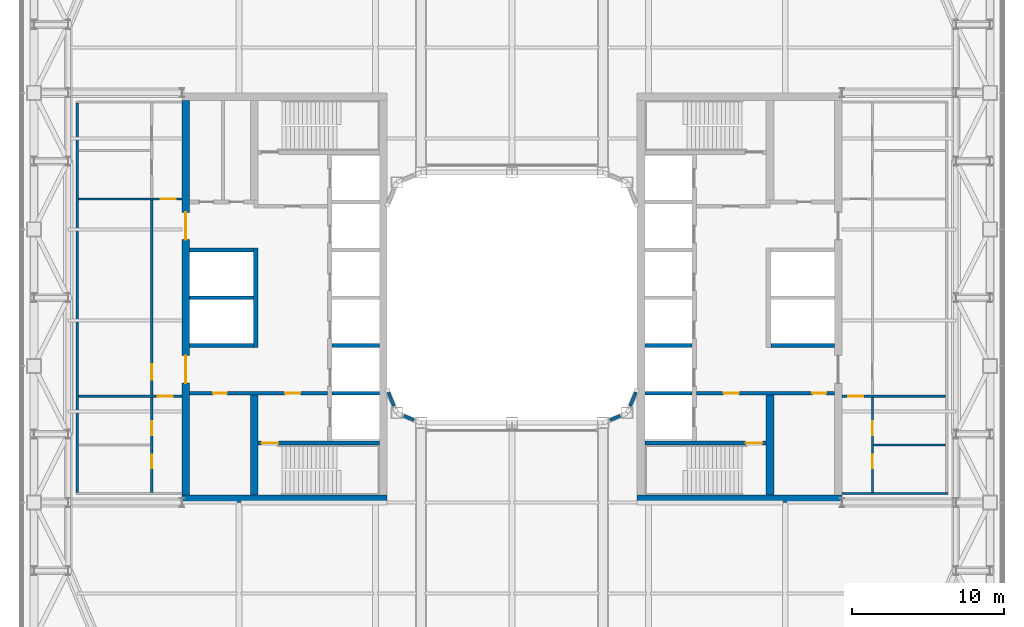
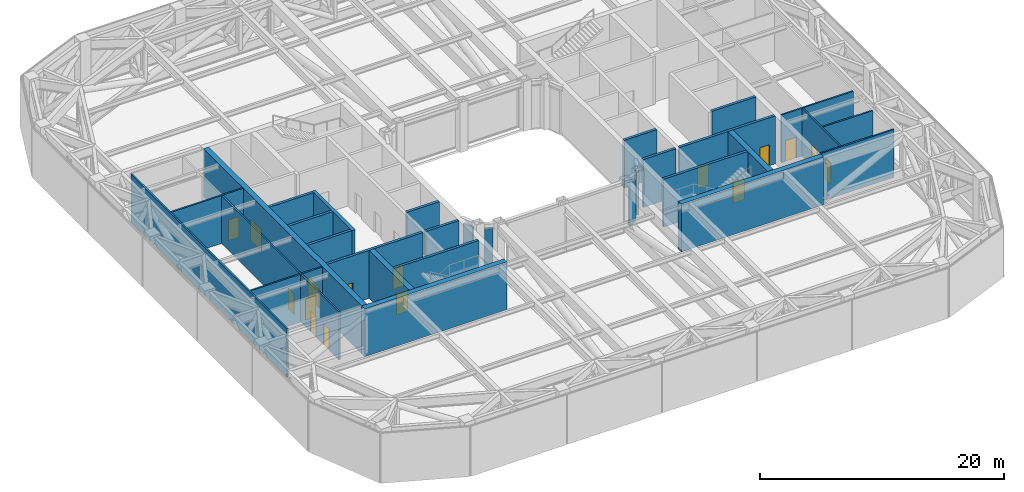
# One storey, part 16 of 33: 31 walls, 16 doors, 16 openings.
"""IFC4 building model written with IfcOpenShell, lengths in metres."""

from ifc_helpers import new_model, si_unit, direction, frame, frame_2d, origin, place, context, subcontext, project, spatial, rectangle, extrude, material, layer, layer_set, type_object, element, fill, save


model = new_model("IFC4")

# Units and contexts
model_context = context("Model", 3, precision=1e-05, world=origin(), true_north=direction((0.0, 1.0)))
body_context = subcontext(model_context, "Body", "Model", "MODEL_VIEW")
ifc_project = project(units=[si_unit("LENGTHUNIT", "METRE"), si_unit("AREAUNIT", "SQUARE_METRE"), si_unit("VOLUMEUNIT", "CUBIC_METRE"), si_unit("PLANEANGLEUNIT", "RADIAN"), si_unit("MASSUNIT", "GRAM", prefix="KILO")], contexts=[model_context])

# Site, building, storey
site_placement = place(None, origin())
site = spatial("IfcSite", under=ifc_project, at=site_placement, CompositionType="ELEMENT")
building_placement = place(site_placement, origin())
building = spatial("IfcBuilding", under=site, at=building_placement, Name="Siwar Civic Tower", CompositionType="ELEMENT")
storey_placement = place(building_placement, frame((0.0, 0.0, 94.199951171875)))
storey = spatial("IfcBuildingStorey", under=building, at=storey_placement, Name="L20", CompositionType="ELEMENT", Elevation=94.199951171875)

# Walls
ifc_material_1 = material(Name="Gypsum board on steel studs", Category="steel")
ifc_layer_1 = layer(ifc_material_1, 0.14990234375)
ifc_layer_set_1 = layer_set([ifc_layer_1], Name="Gypsum board on steel studs")
wall_type_1 = type_object("IfcWallType", Name="COMPARTMENT PARTITION 150 EI 60", PredefinedType="PARTITIONING", material=ifc_layer_set_1)
wall_1_placement = place(storey_placement, frame((21.75, -12.89990234375, 0.0), z_axis=(0.0, 0.0, 1.0), x_axis=(1.0, 0.0, 0.0)))
element("IfcWall", 1, at=wall_1_placement, inside=storey, type_object=wall_type_1, Name="L20/wall/P02", PredefinedType="PARTITIONING", context=body_context, shape_type="SweptSolid", body=[
    extrude(rectangle(XDim=6.97509765625, YDim=0.14990234375, at=frame_2d((3.487548828125, 0.0))), origin(), (0.0, 0.0, 1.0), 4.800048828125),
])
wall_2_placement = place(storey_placement, frame((23.824951171875, -9.699951171875, 0.0), z_axis=(0.0, 0.0, 1.0), x_axis=(1.0, 0.0, 0.0)))
element("IfcWall", 2, at=wall_2_placement, inside=storey, type_object=wall_type_1, Name="L20/wall/P04", PredefinedType="PARTITIONING", context=body_context, shape_type="SweptSolid", body=[
    extrude(rectangle(XDim=4.75, YDim=0.14990234375, at=frame_2d((2.375, 0.0))), origin(), (0.0, 0.0, 1.0), 4.800048828125),
])

# Wall, opening, door
wall_3_placement = place(storey_placement, frame((-28.574951171875, -6.5, 0.0), z_axis=(0.0, 0.0, 1.0), x_axis=(1.0, 0.0, 0.0)))
wall_3 = element("IfcWall", 3, at=wall_3_placement, inside=storey, type_object=wall_type_1, Name="L20/wall/P05", PredefinedType="PARTITIONING", context=body_context, shape_type="SweptSolid", body=[
    extrude(rectangle(XDim=6.824951171875, YDim=0.14990234375, at=frame_2d((3.41259765625, 0.0))), origin(), (0.0, 0.0, 1.0), 4.800048828125),
])
opening_1_placement = place(wall_3_placement, frame((5.22509765625, 0.0, 0.0)))
opening_1 = element("IfcOpeningElement", 4, at=opening_1_placement, cuts=wall_3, Name="Opening D1", PredefinedType="OPENING", context=body_context, shape_type="SweptSolid", body=[
    extrude(rectangle(XDim=1.0, YDim=2.10009765625, at=frame_2d((0.5, 1.050048828125))), frame((0.0, 0.0849609375, 0.0), z_axis=(0.0, -1.0, 0.0), x_axis=(1.0, 0.0, 0.0)), (0.0, 0.0, 1.0), 0.169921875),
])
ifc_material_2 = material(Name="Timber, painted", Category="wood")
door_type_1 = type_object("IfcDoorType", Name="DOOR 1000 X 2100 FD30", OperationType="SINGLE_SWING_LEFT", PredefinedType="DOOR", material=ifc_material_2)
door_1_placement = place(opening_1_placement, origin())
door_1 = element("IfcDoor", 5, at=door_1_placement, inside=storey, type_object=door_type_1, Name="L20-D09", OperationType="SINGLE_SWING_LEFT", OverallHeight=2.10009765625, OverallWidth=1.0, PredefinedType="DOOR", context=body_context, shape_type="SweptSolid", body=[
    extrude(rectangle(XDim=1.0, YDim=2.10009765625, at=frame_2d((0.5, 1.050048828125))), frame((0.0, 0.02490234375, 0.0), z_axis=(0.0, -1.0, 0.0), x_axis=(1.0, 0.0, 0.0)), (0.0, 0.0, 1.0), 0.050048828125),
])
fill(opening_1, door_1)

wall_4_placement = place(storey_placement, frame((21.75, -6.5, 0.0), z_axis=(0.0, 0.0, 1.0), x_axis=(1.0, 0.0, 0.0)))
wall_4 = element("IfcWall", 6, at=wall_4_placement, inside=storey, type_object=wall_type_1, Name="L20/wall/P06", PredefinedType="PARTITIONING", context=body_context, shape_type="SweptSolid", body=[
    extrude(rectangle(XDim=6.824951171875, YDim=0.14990234375, at=frame_2d((3.41259765625, 0.0))), origin(), (0.0, 0.0, 1.0), 4.800048828125),
])
opening_2_placement = place(wall_4_placement, frame((0.39990234375, 0.0, 0.0)))
opening_2 = element("IfcOpeningElement", 7, at=opening_2_placement, cuts=wall_4, Name="Opening D1", PredefinedType="OPENING", context=body_context, shape_type="SweptSolid", body=[
    extrude(rectangle(XDim=1.0, YDim=2.10009765625, at=frame_2d((0.5, 1.050048828125))), frame((0.0, 0.0849609375, 0.0), z_axis=(0.0, -1.0, 0.0), x_axis=(1.0, 0.0, 0.0)), (0.0, 0.0, 1.0), 0.169921875),
])
door_2_placement = place(opening_2_placement, origin())
door_2 = element("IfcDoor", 8, at=door_2_placement, inside=storey, type_object=door_type_1, Name="L20-D02", OperationType="SINGLE_SWING_RIGHT", OverallHeight=2.10009765625, OverallWidth=1.0, PredefinedType="DOOR", context=body_context, shape_type="SweptSolid", body=[
    extrude(rectangle(XDim=1.0, YDim=2.10009765625, at=frame_2d((0.5, 1.050048828125))), frame((0.0, 0.02490234375, 0.0), z_axis=(0.0, -1.0, 0.0), x_axis=(1.0, 0.0, 0.0)), (0.0, 0.0, 1.0), 0.050048828125),
])
fill(opening_2, door_2)

wall_5_placement = place(storey_placement, frame((-28.574951171875, 6.5, 0.0), z_axis=(0.0, 0.0, 1.0), x_axis=(1.0, 0.0, 0.0)))
wall_5 = element("IfcWall", 9, at=wall_5_placement, inside=storey, type_object=wall_type_1, Name="L20/wall/P07", PredefinedType="PARTITIONING", context=body_context, shape_type="SweptSolid", body=[
    extrude(rectangle(XDim=6.824951171875, YDim=0.14990234375, at=frame_2d((3.41259765625, 0.0))), origin(), (0.0, 0.0, 1.0), 4.800048828125),
])
opening_3_placement = place(wall_5_placement, frame((5.425048828125, 0.0, 0.0)))
opening_3 = element("IfcOpeningElement", 10, at=opening_3_placement, cuts=wall_5, Name="Opening D1", PredefinedType="OPENING", context=body_context, shape_type="SweptSolid", body=[
    extrude(rectangle(XDim=1.0, YDim=2.10009765625, at=frame_2d((0.5, 1.050048828125))), frame((0.0, 0.0849609375, 0.0), z_axis=(0.0, -1.0, 0.0), x_axis=(1.0, 0.0, 0.0)), (0.0, 0.0, 1.0), 0.169921875),
])
door_3_placement = place(opening_3_placement, origin())
door_3 = element("IfcDoor", 11, at=door_3_placement, inside=storey, type_object=door_type_1, Name="L20-D08", OperationType="SINGLE_SWING_RIGHT", OverallHeight=2.10009765625, OverallWidth=1.0, PredefinedType="DOOR", context=body_context, shape_type="SweptSolid", body=[
    extrude(rectangle(XDim=1.0, YDim=2.10009765625, at=frame_2d((0.5, 1.050048828125))), frame((0.0, 0.02490234375, 0.0), z_axis=(0.0, -1.0, 0.0), x_axis=(1.0, 0.0, 0.0)), (0.0, 0.0, 1.0), 0.050048828125),
])
fill(opening_3, door_3)

# Wall
wall_6_placement = place(storey_placement, frame((-28.64990234375, -12.824951171875, 0.0), z_axis=(0.0, 0.0, 1.0), x_axis=(0.0, 1.0, 0.0)))
element("IfcWall", 12, at=wall_6_placement, inside=storey, type_object=wall_type_1, Name="L20/wall/P13", PredefinedType="PARTITIONING", context=body_context, shape_type="SweptSolid", body=[
    extrude(rectangle(XDim=25.64990234375, YDim=0.14990234375, at=frame_2d((12.824951171875, 0.0))), origin(), (0.0, 0.0, 1.0), 4.800048828125),
])

# Wall, openings, doors
wall_7_placement = place(storey_placement, frame((-23.75, -12.824951171875, 0.0), z_axis=(0.0, 0.0, 1.0), x_axis=(0.0, 1.0, 0.0)))
wall_7 = element("IfcWall", 13, at=wall_7_placement, inside=storey, type_object=wall_type_1, Name="L20/wall/P14", PredefinedType="PARTITIONING", context=body_context, shape_type="SweptSolid", body=[
    extrude(rectangle(XDim=6.25, YDim=0.14990234375, at=frame_2d((3.125, 0.0))), origin(), (0.0, 0.0, 1.0), 4.800048828125),
])
opening_4_placement = place(wall_7_placement, frame((1.574951171875, 0.0, 0.0)))
opening_4 = element("IfcOpeningElement", 14, at=opening_4_placement, cuts=wall_7, Name="Opening D4", PredefinedType="OPENING", context=body_context, shape_type="SweptSolid", body=[
    extrude(rectangle(XDim=0.89990234375, YDim=2.10009765625, at=frame_2d((0.449951171875, 1.050048828125))), frame((0.0, 0.0849609375, 0.0), z_axis=(0.0, -1.0, 0.0), x_axis=(1.0, 0.0, 0.0)), (0.0, 0.0, 1.0), 0.169921875),
])
opening_5_placement = place(wall_7_placement, frame((3.77490234375, 0.0, 0.0)))
opening_5 = element("IfcOpeningElement", 15, at=opening_5_placement, cuts=wall_7, Name="Opening D4", PredefinedType="OPENING", context=body_context, shape_type="SweptSolid", body=[
    extrude(rectangle(XDim=0.89990234375, YDim=2.10009765625, at=frame_2d((0.449951171875, 1.050048828125))), frame((0.0, 0.0849609375, 0.0), z_axis=(0.0, -1.0, 0.0), x_axis=(1.0, 0.0, 0.0)), (0.0, 0.0, 1.0), 0.169921875),
])
ifc_material_3 = material(Name="Timber, painted", Category="wood")
door_type_2 = type_object("IfcDoorType", Name="DOOR 900 X 2100 FD60", OperationType="SINGLE_SWING_LEFT", PredefinedType="DOOR", material=ifc_material_3)
door_4_placement = place(opening_4_placement, origin())
door_4 = element("IfcDoor", 16, at=door_4_placement, inside=storey, type_object=door_type_2, Name="L20-D13", OperationType="SINGLE_SWING_LEFT", OverallHeight=2.10009765625, OverallWidth=0.89990234375, PredefinedType="DOOR", context=body_context, shape_type="SweptSolid", body=[
    extrude(rectangle(XDim=0.89990234375, YDim=2.10009765625, at=frame_2d((0.449951171875, 1.050048828125))), frame((0.0, 0.02490234375, 0.0), z_axis=(0.0, -1.0, 0.0), x_axis=(1.0, 0.0, 0.0)), (0.0, 0.0, 1.0), 0.050048828125),
])
fill(opening_4, door_4)
door_5_placement = place(opening_5_placement, origin())
door_5 = element("IfcDoor", 17, at=door_5_placement, inside=storey, type_object=door_type_2, Name="L20-D14", OperationType="SINGLE_SWING_RIGHT", OverallHeight=2.10009765625, OverallWidth=0.89990234375, PredefinedType="DOOR", context=body_context, shape_type="SweptSolid", body=[
    extrude(rectangle(XDim=0.89990234375, YDim=2.10009765625, at=frame_2d((0.449951171875, 1.050048828125))), frame((0.0, 0.02490234375, 0.0), z_axis=(0.0, -1.0, 0.0), x_axis=(1.0, 0.0, 0.0)), (0.0, 0.0, 1.0), 0.050048828125),
])
fill(opening_5, door_5)

# Wall, opening, door
wall_8_placement = place(storey_placement, frame((-23.75, -6.425048828125, 0.0), z_axis=(0.0, 0.0, 1.0), x_axis=(0.0, 1.0, 0.0)))
wall_8 = element("IfcWall", 18, at=wall_8_placement, inside=storey, type_object=wall_type_1, Name="L20/wall/P15", PredefinedType="PARTITIONING", context=body_context, shape_type="SweptSolid", body=[
    extrude(rectangle(XDim=12.85009765625, YDim=0.14990234375, at=frame_2d((6.425048828125, 0.0))), origin(), (0.0, 0.0, 1.0), 4.800048828125),
])
opening_6_placement = place(wall_8_placement, frame((1.02490234375, 0.0, 0.0)))
opening_6 = element("IfcOpeningElement", 19, at=opening_6_placement, cuts=wall_8, Name="Opening D1", PredefinedType="OPENING", context=body_context, shape_type="SweptSolid", body=[
    extrude(rectangle(XDim=1.0, YDim=2.10009765625, at=frame_2d((0.5, 1.050048828125))), frame((0.0, 0.0849609375, 0.0), z_axis=(0.0, -1.0, 0.0), x_axis=(1.0, 0.0, 0.0)), (0.0, 0.0, 1.0), 0.169921875),
])
door_6_placement = place(opening_6_placement, origin())
door_6 = element("IfcDoor", 20, at=door_6_placement, inside=storey, type_object=door_type_1, Name="L20-D10", OperationType="SINGLE_SWING_RIGHT", OverallHeight=2.10009765625, OverallWidth=1.0, PredefinedType="DOOR", context=body_context, shape_type="SweptSolid", body=[
    extrude(rectangle(XDim=1.0, YDim=2.10009765625, at=frame_2d((0.5, 1.050048828125))), frame((0.0, 0.02490234375, 0.0), z_axis=(0.0, -1.0, 0.0), x_axis=(1.0, 0.0, 0.0)), (0.0, 0.0, 1.0), 0.050048828125),
])
fill(opening_6, door_6)

# Wall, openings, doors
wall_9_placement = place(storey_placement, frame((23.75, -12.824951171875, 0.0), z_axis=(0.0, 0.0, 1.0), x_axis=(0.0, 1.0, 0.0)))
wall_9 = element("IfcWall", 21, at=wall_9_placement, inside=storey, type_object=wall_type_1, Name="L20/wall/P17", PredefinedType="PARTITIONING", context=body_context, shape_type="SweptSolid", body=[
    extrude(rectangle(XDim=6.25, YDim=0.14990234375, at=frame_2d((3.125, 0.0))), origin(), (0.0, 0.0, 1.0), 4.800048828125),
])
opening_7_placement = place(wall_9_placement, frame((1.574951171875, 0.0, 0.0)))
opening_7 = element("IfcOpeningElement", 22, at=opening_7_placement, cuts=wall_9, Name="Opening D4", PredefinedType="OPENING", context=body_context, shape_type="SweptSolid", body=[
    extrude(rectangle(XDim=0.89990234375, YDim=2.10009765625, at=frame_2d((0.449951171875, 1.050048828125))), frame((0.0, 0.0849609375, 0.0), z_axis=(0.0, -1.0, 0.0), x_axis=(1.0, 0.0, 0.0)), (0.0, 0.0, 1.0), 0.169921875),
])
opening_8_placement = place(wall_9_placement, frame((3.77490234375, 0.0, 0.0)))
opening_8 = element("IfcOpeningElement", 23, at=opening_8_placement, cuts=wall_9, Name="Opening D4", PredefinedType="OPENING", context=body_context, shape_type="SweptSolid", body=[
    extrude(rectangle(XDim=0.89990234375, YDim=2.10009765625, at=frame_2d((0.449951171875, 1.050048828125))), frame((0.0, 0.0849609375, 0.0), z_axis=(0.0, -1.0, 0.0), x_axis=(1.0, 0.0, 0.0)), (0.0, 0.0, 1.0), 0.169921875),
])
door_7_placement = place(opening_7_placement, origin())
door_7 = element("IfcDoor", 24, at=door_7_placement, inside=storey, type_object=door_type_2, Name="L20-D06", OperationType="SINGLE_SWING_RIGHT", OverallHeight=2.10009765625, OverallWidth=0.89990234375, PredefinedType="DOOR", context=body_context, shape_type="SweptSolid", body=[
    extrude(rectangle(XDim=0.89990234375, YDim=2.10009765625, at=frame_2d((0.449951171875, 1.050048828125))), frame((0.0, 0.02490234375, 0.0), z_axis=(0.0, -1.0, 0.0), x_axis=(1.0, 0.0, 0.0)), (0.0, 0.0, 1.0), 0.050048828125),
])
fill(opening_7, door_7)
door_8_placement = place(opening_8_placement, origin())
door_8 = element("IfcDoor", 25, at=door_8_placement, inside=storey, type_object=door_type_2, Name="L20-D07", OperationType="SINGLE_SWING_LEFT", OverallHeight=2.10009765625, OverallWidth=0.89990234375, PredefinedType="DOOR", context=body_context, shape_type="SweptSolid", body=[
    extrude(rectangle(XDim=0.89990234375, YDim=2.10009765625, at=frame_2d((0.449951171875, 1.050048828125))), frame((0.0, 0.02490234375, 0.0), z_axis=(0.0, -1.0, 0.0), x_axis=(1.0, 0.0, 0.0)), (0.0, 0.0, 1.0), 0.050048828125),
])
fill(opening_8, door_8)

ifc_material_4 = material(Name="Concrete C60/75", Category="concrete")
ifc_layer_2 = layer(ifc_material_4, 0.25)
ifc_layer_set_2 = layer_set([ifc_layer_2], Name="Concrete C60/75")
wall_type_2 = type_object("IfcWallType", Name="CORE-WALL-RC250", PredefinedType="SHEAR", material=ifc_layer_set_2)
wall_10_placement = place(storey_placement, frame((-12.14990234375, -6.300048828125, 0.0), z_axis=(0.0, 0.0, 1.0), x_axis=(-1.0, 0.0, 0.0)))
wall_10 = element("IfcWall", 26, at=wall_10_placement, inside=storey, type_object=wall_type_2, Name="Core wall W", PredefinedType="SHEAR", context=body_context, shape_type="SweptSolid", body=[
    extrude(rectangle(XDim=9.10009765625, YDim=0.25, at=frame_2d((4.550048828125, 0.0))), origin(), (0.0, 0.0, 1.0), 4.800048828125),
])
opening_9_placement = place(wall_10_placement, frame((1.800048828125, 0.0, 0.0)))
opening_9 = element("IfcOpeningElement", 27, at=opening_9_placement, cuts=wall_10, Name="Opening L20-CW02", PredefinedType="OPENING", context=body_context, shape_type="SweptSolid", body=[
    extrude(rectangle(XDim=1.0, YDim=2.10009765625, at=frame_2d((0.5, 1.050048828125))), frame((0.0, 0.135009765625, 0.0), z_axis=(0.0, -1.0, 0.0), x_axis=(1.0, 0.0, 0.0)), (0.0, 0.0, 1.0), 0.27001953125),
])
opening_10_placement = place(wall_10_placement, frame((6.64990234375, 0.0, 0.0)))
opening_10 = element("IfcOpeningElement", 28, at=opening_10_placement, cuts=wall_10, Name="Opening L20-CW15", PredefinedType="OPENING", context=body_context, shape_type="SweptSolid", body=[
    extrude(rectangle(XDim=0.89990234375, YDim=2.10009765625, at=frame_2d((0.449951171875, 1.050048828125))), frame((0.0, 0.135009765625, 0.0), z_axis=(0.0, -1.0, 0.0), x_axis=(1.0, 0.0, 0.0)), (0.0, 0.0, 1.0), 0.27001953125),
])
ifc_material_5 = material(Name="Steel door leaf", Category="steel")
door_type_3 = type_object("IfcDoorType", Name="CORE-DOOR-FD30S", OperationType="SINGLE_SWING_LEFT", PredefinedType="DOOR", material=ifc_material_5)
door_9_placement = place(opening_9_placement, origin())
door_9 = element("IfcDoor", 29, at=door_9_placement, inside=storey, type_object=door_type_3, Name="Service lobby door L20-CW02", OperationType="SINGLE_SWING_RIGHT", OverallHeight=2.10009765625, OverallWidth=1.0, PredefinedType="DOOR", context=body_context, shape_type="SweptSolid", body=[
    extrude(rectangle(XDim=1.0, YDim=2.10009765625, at=frame_2d((0.5, 1.050048828125))), frame((0.0, 0.02490234375, 0.0), z_axis=(0.0, -1.0, 0.0), x_axis=(1.0, 0.0, 0.0)), (0.0, 0.0, 1.0), 0.050048828125),
])
fill(opening_9, door_9)
ifc_material_6 = material(Name="Steel door leaf", Category="steel")
door_type_4 = type_object("IfcDoorType", Name="CORE-DOOR-ROOM", OperationType="SINGLE_SWING_LEFT", PredefinedType="DOOR", material=ifc_material_6)
door_10_placement = place(opening_10_placement, origin())
door_10 = element("IfcDoor", 30, at=door_10_placement, inside=storey, type_object=door_type_4, Name="Core room door L20-CW15", OperationType="SINGLE_SWING_RIGHT", OverallHeight=2.10009765625, OverallWidth=0.89990234375, PredefinedType="DOOR", context=body_context, shape_type="SweptSolid", body=[
    extrude(rectangle(XDim=0.89990234375, YDim=2.10009765625, at=frame_2d((0.449951171875, 1.050048828125))), frame((0.0, 0.02490234375, 0.0), z_axis=(0.0, -1.0, 0.0), x_axis=(1.0, 0.0, 0.0)), (0.0, 0.0, 1.0), 0.050048828125),
])
fill(opening_10, door_10)

# Walls
for number, where, z_axis, x_axis, name in (
    (31, (-17.050048828125, 0.0, 0.0), (0.0, 0.0, 1.0), (-1.0, 0.0, 0.0), "Core wall W"),
    (32, (-17.050048828125, 3.14990234375, 0.0), (0.0, 0.0, 1.0), (-1.0, 0.0, 0.0), "Core wall W"),
    (33, (-17.050048828125, -3.14990234375, 0.0), (0.0, 0.0, 1.0), (-1.0, 0.0, 0.0), "Core wall W"),
):
    element("IfcWall", number, at=place(storey_placement, frame(where, z_axis=z_axis, x_axis=x_axis)), inside=storey, type_object=wall_type_2, Name=name, PredefinedType="SHEAR", context=body_context, shape_type="SweptSolid", body=[
        extrude(rectangle(XDim=4.199951171875, YDim=0.25, at=frame_2d((2.10009765625, 0.0))), origin(), (0.0, 0.0, 1.0), 4.800048828125),
    ])
for number, where, z_axis, x_axis, name in (
    (34, (-8.75, -3.14990234375, 0.0), (0.0, 0.0, 1.0), (-1.0, 0.0, 0.0), "Core wall W"),
    (35, (-8.75, -6.300048828125, 0.0), (0.0, 0.0, 1.0), (-1.0, 0.0, 0.0), "Core wall W"),
):
    element("IfcWall", number, at=place(storey_placement, frame(where, z_axis=z_axis, x_axis=x_axis)), inside=storey, type_object=wall_type_2, Name=name, PredefinedType="SHEAR", context=body_context, shape_type="SweptSolid", body=[
        extrude(rectangle(XDim=3.10009765625, YDim=0.25, at=frame_2d((1.550048828125, 0.0))), origin(), (0.0, 0.0, 1.0), 4.800048828125),
    ])

# Wall, opening, door
wall_11_placement = place(storey_placement, frame((-8.75, -9.574951171875, 0.0), z_axis=(0.0, 0.0, 1.0), x_axis=(-1.0, 0.0, 0.0)))
wall_11 = element("IfcWall", 36, at=wall_11_placement, inside=storey, type_object=wall_type_2, Name="Core wall W", PredefinedType="SHEAR", context=body_context, shape_type="SweptSolid", body=[
    extrude(rectangle(XDim=8.0, YDim=0.25, at=frame_2d((4.0, 0.0))), origin(), (0.0, 0.0, 1.0), 4.800048828125),
])
opening_11_placement = place(wall_11_placement, frame((6.64990234375, 0.0, 0.0)))
opening_11 = element("IfcOpeningElement", 37, at=opening_11_placement, cuts=wall_11, Name="Opening L20-CW04", PredefinedType="OPENING", context=body_context, shape_type="SweptSolid", body=[
    extrude(rectangle(XDim=1.10009765625, YDim=2.10009765625, at=frame_2d((0.550048828125, 1.050048828125))), frame((0.0, 0.135009765625, 0.0), z_axis=(0.0, -1.0, 0.0), x_axis=(1.0, 0.0, 0.0)), (0.0, 0.0, 1.0), 0.27001953125),
])
ifc_material_7 = material(Name="Steel door leaf", Category="steel")
door_type_5 = type_object("IfcDoorType", Name="CORE-DOOR-FD60S", OperationType="SINGLE_SWING_LEFT", PredefinedType="DOOR", material=ifc_material_7)
door_11_placement = place(opening_11_placement, origin())
door_11 = element("IfcDoor", 38, at=door_11_placement, inside=storey, type_object=door_type_5, Name="Stair door L20-CW04", OperationType="SINGLE_SWING_LEFT", OverallHeight=2.10009765625, OverallWidth=1.10009765625, PredefinedType="DOOR", context=body_context, shape_type="SweptSolid", body=[
    extrude(rectangle(XDim=1.10009765625, YDim=2.10009765625, at=frame_2d((0.550048828125, 1.050048828125))), frame((0.0, 0.02490234375, 0.0), z_axis=(0.0, -1.0, 0.0), x_axis=(1.0, 0.0, 0.0)), (0.0, 0.0, 1.0), 0.050048828125),
])
fill(opening_11, door_11)

# Wall, openings, doors
wall_12_placement = place(storey_placement, frame((12.14990234375, -6.300048828125, 0.0), z_axis=(0.0, 0.0, 1.0), x_axis=(1.0, 0.0, 0.0)))
wall_12 = element("IfcWall", 39, at=wall_12_placement, inside=storey, type_object=wall_type_2, Name="Core wall E", PredefinedType="SHEAR", context=body_context, shape_type="SweptSolid", body=[
    extrude(rectangle(XDim=9.10009765625, YDim=0.25, at=frame_2d((4.550048828125, 0.0))), origin(), (0.0, 0.0, 1.0), 4.800048828125),
])
opening_12_placement = place(wall_12_placement, frame((1.800048828125, 0.0, 0.0)))
opening_12 = element("IfcOpeningElement", 40, at=opening_12_placement, cuts=wall_12, Name="Opening L20-CE02", PredefinedType="OPENING", context=body_context, shape_type="SweptSolid", body=[
    extrude(rectangle(XDim=1.0, YDim=2.10009765625, at=frame_2d((0.5, 1.050048828125))), frame((0.0, 0.135009765625, 0.0), z_axis=(0.0, -1.0, 0.0), x_axis=(1.0, 0.0, 0.0)), (0.0, 0.0, 1.0), 0.27001953125),
])
opening_13_placement = place(wall_12_placement, frame((7.64990234375, 0.0, 0.0)))
opening_13 = element("IfcOpeningElement", 41, at=opening_13_placement, cuts=wall_12, Name="Opening L20-CE14", PredefinedType="OPENING", context=body_context, shape_type="SweptSolid", body=[
    extrude(rectangle(XDim=0.89990234375, YDim=2.10009765625, at=frame_2d((0.449951171875, 1.050048828125))), frame((0.0, 0.135009765625, 0.0), z_axis=(0.0, -1.0, 0.0), x_axis=(1.0, 0.0, 0.0)), (0.0, 0.0, 1.0), 0.27001953125),
])
door_12_placement = place(opening_12_placement, origin())
door_12 = element("IfcDoor", 42, at=door_12_placement, inside=storey, type_object=door_type_3, Name="Service lobby door L20-CE02", OperationType="SINGLE_SWING_LEFT", OverallHeight=2.10009765625, OverallWidth=1.0, PredefinedType="DOOR", context=body_context, shape_type="SweptSolid", body=[
    extrude(rectangle(XDim=1.0, YDim=2.10009765625, at=frame_2d((0.5, 1.050048828125))), frame((0.0, 0.02490234375, 0.0), z_axis=(0.0, -1.0, 0.0), x_axis=(1.0, 0.0, 0.0)), (0.0, 0.0, 1.0), 0.050048828125),
])
fill(opening_12, door_12)
door_13_placement = place(opening_13_placement, origin())
door_13 = element("IfcDoor", 43, at=door_13_placement, inside=storey, type_object=door_type_4, Name="Core room door L20-CE14", OperationType="SINGLE_SWING_RIGHT", OverallHeight=2.10009765625, OverallWidth=0.89990234375, PredefinedType="DOOR", context=body_context, shape_type="SweptSolid", body=[
    extrude(rectangle(XDim=0.89990234375, YDim=2.10009765625, at=frame_2d((0.449951171875, 1.050048828125))), frame((0.0, 0.02490234375, 0.0), z_axis=(0.0, -1.0, 0.0), x_axis=(1.0, 0.0, 0.0)), (0.0, 0.0, 1.0), 0.050048828125),
])
fill(opening_13, door_13)

# Walls
wall_13_placement = place(storey_placement, frame((17.050048828125, -3.14990234375, 0.0), z_axis=(0.0, 0.0, 1.0), x_axis=(1.0, 0.0, 0.0)))
element("IfcWall", 44, at=wall_13_placement, inside=storey, type_object=wall_type_2, Name="Core wall E", PredefinedType="SHEAR", context=body_context, shape_type="SweptSolid", body=[
    extrude(rectangle(XDim=4.199951171875, YDim=0.25, at=frame_2d((2.10009765625, 0.0))), origin(), (0.0, 0.0, 1.0), 4.800048828125),
])
for number, where, z_axis, x_axis, name in (
    (45, (8.75, -3.14990234375, 0.0), (0.0, 0.0, 1.0), (1.0, 0.0, 0.0), "Core wall E"),
    (46, (8.75, -6.300048828125, 0.0), (0.0, 0.0, 1.0), (1.0, 0.0, 0.0), "Core wall E"),
):
    element("IfcWall", number, at=place(storey_placement, frame(where, z_axis=z_axis, x_axis=x_axis)), inside=storey, type_object=wall_type_2, Name=name, PredefinedType="SHEAR", context=body_context, shape_type="SweptSolid", body=[
        extrude(rectangle(XDim=3.10009765625, YDim=0.25, at=frame_2d((1.550048828125, 0.0))), origin(), (0.0, 0.0, 1.0), 4.800048828125),
    ])

# Wall, opening, door
wall_14_placement = place(storey_placement, frame((8.75, -9.574951171875, 0.0), z_axis=(0.0, 0.0, 1.0), x_axis=(1.0, 0.0, 0.0)))
wall_14 = element("IfcWall", 47, at=wall_14_placement, inside=storey, type_object=wall_type_2, Name="Core wall E", PredefinedType="SHEAR", context=body_context, shape_type="SweptSolid", body=[
    extrude(rectangle(XDim=8.0, YDim=0.25, at=frame_2d((4.0, 0.0))), origin(), (0.0, 0.0, 1.0), 4.800048828125),
])
opening_14_placement = place(wall_14_placement, frame((6.64990234375, 0.0, 0.0)))
opening_14 = element("IfcOpeningElement", 48, at=opening_14_placement, cuts=wall_14, Name="Opening L20-CE04", PredefinedType="OPENING", context=body_context, shape_type="SweptSolid", body=[
    extrude(rectangle(XDim=1.10009765625, YDim=2.10009765625, at=frame_2d((0.550048828125, 1.050048828125))), frame((0.0, 0.135009765625, 0.0), z_axis=(0.0, -1.0, 0.0), x_axis=(1.0, 0.0, 0.0)), (0.0, 0.0, 1.0), 0.27001953125),
])
door_14_placement = place(opening_14_placement, origin())
door_14 = element("IfcDoor", 49, at=door_14_placement, inside=storey, type_object=door_type_5, Name="Stair door L20-CE04", OperationType="SINGLE_SWING_RIGHT", OverallHeight=2.10009765625, OverallWidth=1.10009765625, PredefinedType="DOOR", context=body_context, shape_type="SweptSolid", body=[
    extrude(rectangle(XDim=1.10009765625, YDim=2.10009765625, at=frame_2d((0.550048828125, 1.050048828125))), frame((0.0, 0.02490234375, 0.0), z_axis=(0.0, -1.0, 0.0), x_axis=(1.0, 0.0, 0.0)), (0.0, 0.0, 1.0), 0.050048828125),
])
fill(opening_14, door_14)

# Wall
ifc_material_8 = material(Name="Concrete C60/75", Category="concrete")
ifc_layer_3 = layer(ifc_material_8, 0.300048828125)
ifc_layer_set_3 = layer_set([ifc_layer_3], Name="Concrete C60/75")
wall_type_3 = type_object("IfcWallType", Name="CORE-WALL-RC300", PredefinedType="SHEAR", material=ifc_layer_set_3)
wall_15_placement = place(storey_placement, frame((-16.89990234375, -3.27490234375, 0.0), z_axis=(0.0, 0.0, 1.0), x_axis=(0.0, 1.0, 0.0)))
element("IfcWall", 50, at=wall_15_placement, inside=storey, type_object=wall_type_3, Name="Core wall W", PredefinedType="SHEAR", context=body_context, shape_type="SweptSolid", body=[
    extrude(rectangle(XDim=6.5498046875, YDim=0.300048828125, at=frame_2d((3.27490234375, 0.0))), origin(), (0.0, 0.0, 1.0), 4.800048828125),
])

# Wall, openings, doors
ifc_material_9 = material(Name="Concrete C60/75", Category="concrete")
ifc_layer_4 = layer(ifc_material_9, 0.5)
ifc_layer_set_4 = layer_set([ifc_layer_4], Name="Concrete C60/75")
wall_type_4 = type_object("IfcWallType", Name="CORE-WALL-RC500", PredefinedType="SHEAR", material=ifc_layer_set_4)
wall_16_placement = place(storey_placement, frame((-21.5, -13.0, 0.0), z_axis=(0.0, 0.0, 1.0), x_axis=(0.0, 1.0, 0.0)))
wall_16 = element("IfcWall", 51, at=wall_16_placement, inside=storey, type_object=wall_type_4, Name="Core wall W", PredefinedType="SHEAR", context=body_context, shape_type="SweptSolid", body=[
    extrude(rectangle(XDim=26.0, YDim=0.5, at=frame_2d((13.0, 0.0))), origin(), (0.0, 0.0, 1.0), 4.800048828125),
])
opening_15_placement = place(wall_16_placement, frame((16.824951171875, 0.0, 0.0)))
opening_15 = element("IfcOpeningElement", 52, at=opening_15_placement, cuts=wall_16, Name="Opening L20-CW05", PredefinedType="OPENING", context=body_context, shape_type="SweptSolid", body=[
    extrude(rectangle(XDim=1.800048828125, YDim=2.10009765625, at=frame_2d((0.89990234375, 1.050048828125))), frame((0.0, 0.260009765625, 0.0), z_axis=(0.0, -1.0, 0.0), x_axis=(1.0, 0.0, 0.0)), (0.0, 0.0, 1.0), 0.52001953125),
])
opening_16_placement = place(wall_16_placement, frame((7.375, 0.0, 0.0)))
opening_16 = element("IfcOpeningElement", 53, at=opening_16_placement, cuts=wall_16, Name="Opening L20-CW06", PredefinedType="OPENING", context=body_context, shape_type="SweptSolid", body=[
    extrude(rectangle(XDim=1.800048828125, YDim=2.10009765625, at=frame_2d((0.89990234375, 1.050048828125))), frame((0.0, 0.260009765625, 0.0), z_axis=(0.0, -1.0, 0.0), x_axis=(1.0, 0.0, 0.0)), (0.0, 0.0, 1.0), 0.52001953125),
])
ifc_material_10 = material(Name="Steel door leaf", Category="steel")
door_type_6 = type_object("IfcDoorType", Name="CORE-DOOR-PORT", OperationType="DOUBLE_DOOR_DOUBLE_SWING", PredefinedType="DOOR", material=ifc_material_10)
door_15_placement = place(opening_15_placement, origin())
door_15 = element("IfcDoor", 54, at=door_15_placement, inside=storey, type_object=door_type_6, Name="Core entrance door L20-CW05", OperationType="DOUBLE_DOOR_DOUBLE_SWING", OverallHeight=2.10009765625, OverallWidth=1.800048828125, PredefinedType="DOOR", context=body_context, shape_type="SweptSolid", body=[
    extrude(rectangle(XDim=1.800048828125, YDim=2.10009765625, at=frame_2d((0.89990234375, 1.050048828125))), frame((0.0, 0.02490234375, 0.0), z_axis=(0.0, -1.0, 0.0), x_axis=(1.0, 0.0, 0.0)), (0.0, 0.0, 1.0), 0.050048828125),
])
fill(opening_15, door_15)
door_16_placement = place(opening_16_placement, origin())
door_16 = element("IfcDoor", 55, at=door_16_placement, inside=storey, type_object=door_type_6, Name="Core entrance door L20-CW06", OperationType="DOUBLE_DOOR_DOUBLE_SWING", OverallHeight=2.10009765625, OverallWidth=1.800048828125, PredefinedType="DOOR", context=body_context, shape_type="SweptSolid", body=[
    extrude(rectangle(XDim=1.800048828125, YDim=2.10009765625, at=frame_2d((0.89990234375, 1.050048828125))), frame((0.0, 0.02490234375, 0.0), z_axis=(0.0, -1.0, 0.0), x_axis=(1.0, 0.0, 0.0)), (0.0, 0.0, 1.0), 0.050048828125),
])
fill(opening_16, door_16)

# Walls
wall_17_placement = place(storey_placement, frame((-17.0, -13.0, 0.0), z_axis=(0.0, 0.0, 1.0), x_axis=(0.0, 1.0, 0.0)))
element("IfcWall", 56, at=wall_17_placement, inside=storey, type_object=wall_type_4, Name="Core wall W", PredefinedType="SHEAR", context=body_context, shape_type="SweptSolid", body=[
    extrude(rectangle(XDim=6.574951171875, YDim=0.5, at=frame_2d((3.28759765625, 0.0))), origin(), (0.0, 0.0, 1.0), 4.800048828125),
])
wall_18_placement = place(storey_placement, frame((-8.25, -13.25, 0.0), z_axis=(0.0, 0.0, 1.0), x_axis=(-1.0, 0.0, 0.0)))
element("IfcWall", 57, at=wall_18_placement, inside=storey, type_object=wall_type_4, Name="Core wall W", PredefinedType="SHEAR", context=body_context, shape_type="SweptSolid", body=[
    extrude(rectangle(XDim=13.5, YDim=0.5, at=frame_2d((6.75, 0.0))), origin(), (0.0, 0.0, 1.0), 4.800048828125),
])
wall_19_placement = place(storey_placement, frame((17.0, -13.0, 0.0), z_axis=(0.0, 0.0, 1.0), x_axis=(0.0, 1.0, 0.0)))
element("IfcWall", 58, at=wall_19_placement, inside=storey, type_object=wall_type_4, Name="Core wall E", PredefinedType="SHEAR", context=body_context, shape_type="SweptSolid", body=[
    extrude(rectangle(XDim=6.574951171875, YDim=0.5, at=frame_2d((3.28759765625, 0.0))), origin(), (0.0, 0.0, 1.0), 4.800048828125),
])
wall_20_placement = place(storey_placement, frame((8.25, -13.25, 0.0), z_axis=(0.0, 0.0, 1.0), x_axis=(1.0, 0.0, 0.0)))
element("IfcWall", 59, at=wall_20_placement, inside=storey, type_object=wall_type_4, Name="Core wall E", PredefinedType="SHEAR", context=body_context, shape_type="SweptSolid", body=[
    extrude(rectangle(XDim=13.5, YDim=0.5, at=frame_2d((6.75, 0.0))), origin(), (0.0, 0.0, 1.0), 4.800048828125),
])
ifc_material_11 = material(Name="Aluminium clad insulated panel", Category="aluminium")
ifc_layer_5 = layer(ifc_material_11, 0.199951171875)
ifc_layer_set_5 = layer_set([ifc_layer_5], Name="Aluminium clad insulated panel")
wall_type_5 = type_object("IfcWallType", Name="ENV-WALL-WELL", PredefinedType="STANDARD", material=ifc_layer_set_5)
wall_21_placement = place(storey_placement, frame((6.45263671875, -8.0625, 0.0), z_axis=(0.0, 0.0, 1.0), x_axis=(0.923940677943, 0.382535780864, 0.0)))
element("IfcWall", 60, at=wall_21_placement, inside=storey, type_object=wall_type_5, Name="Light well corner wall SE1", PredefinedType="STANDARD", context=body_context, shape_type="SweptSolid", body=[
    extrude(rectangle(XDim=0.7421875, YDim=0.199951171875, at=frame_2d((0.37109375, 0.0))), origin(), (0.0, 0.0, 1.0), 4.276123046875),
])
for number, where, z_axis, x_axis, name in (
    (61, (7.778564453125, -7.138427734375, 0.0), (0.0, 0.0, 1.0), (0.382549378284, 0.923935048136, 0.0), "Light well corner wall SE2"),
    (62, (-8.154296875, -6.23095703125, 0.0), (0.0, 0.0, 1.0), (0.382549378284, -0.923935048136, 0.0), "Light well corner wall SW1"),
):
    element("IfcWall", number, at=place(storey_placement, frame(where, z_axis=z_axis, x_axis=x_axis)), inside=storey, type_object=wall_type_5, Name=name, PredefinedType="STANDARD", context=body_context, shape_type="SweptSolid", body=[
        extrude(rectangle(XDim=0.982177734375, YDim=0.199951171875, at=frame_2d((0.4912109375, 0.0))), origin(), (0.0, 0.0, 1.0), 4.276123046875),
    ])
wall_22_placement = place(storey_placement, frame((-7.138427734375, -7.778564453125, 0.0), z_axis=(0.0, 0.0, 1.0), x_axis=(0.923940677943, -0.382535780864, 0.0)))
element("IfcWall", 63, at=wall_22_placement, inside=storey, type_object=wall_type_5, Name="Light well corner wall SW2", PredefinedType="STANDARD", context=body_context, shape_type="SweptSolid", body=[
    extrude(rectangle(XDim=0.7421875, YDim=0.199951171875, at=frame_2d((0.37109375, 0.0))), origin(), (0.0, 0.0, 1.0), 4.276123046875),
])

save(model, "model.ifc")
